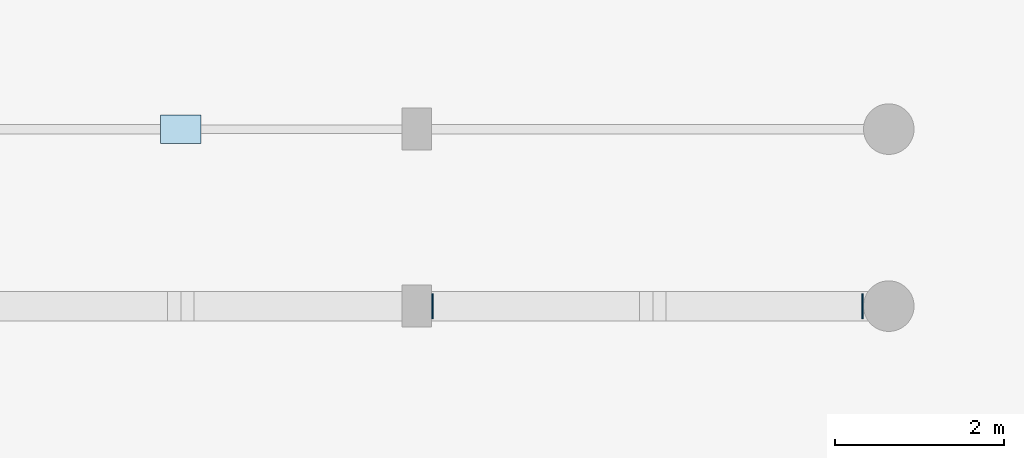
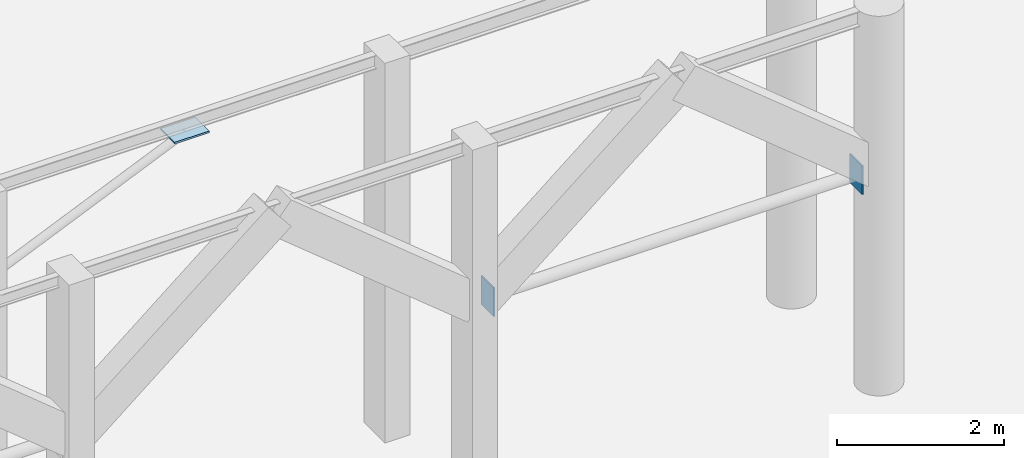
# One storey, part 87 of 135: 3 plates.
"""IFC4 building model written with IfcOpenShell, lengths in metres."""

from ifc_helpers import new_model, si_unit, direction, frame, origin, origin_2d, place, context, subcontext, project, spatial, rectangle, extrude, material, layer, layer_set, type_object, element, save


model = new_model("IFC4")

# Units and contexts
model_context = context("Model", 3, precision=1e-05, world=origin(), true_north=direction((0.0, 1.0)))
body_context = subcontext(model_context, "Body", "Model", "MODEL_VIEW")
ifc_project = project(units=[si_unit("LENGTHUNIT", "METRE"), si_unit("AREAUNIT", "SQUARE_METRE"), si_unit("VOLUMEUNIT", "CUBIC_METRE"), si_unit("PLANEANGLEUNIT", "RADIAN"), si_unit("MASSUNIT", "GRAM", prefix="KILO")], contexts=[model_context])

# Site, building, storey
site_placement = place(None, origin())
site = spatial("IfcSite", under=ifc_project, at=site_placement, CompositionType="ELEMENT")
building_placement = place(site_placement, origin())
building = spatial("IfcBuilding", under=site, at=building_placement, Name="Kiranvali Square Residences", CompositionType="ELEMENT")
storey_placement = place(building_placement, origin())
storey = spatial("IfcBuildingStorey", under=building, at=storey_placement, Name="L00", CompositionType="ELEMENT", Elevation=0.0)

# Plates
ifc_material = material(Name="Structural steel E350", Category="steel")
ifc_layer_1 = layer(ifc_material, 0.02001953125)
ifc_layer_set_1 = layer_set([ifc_layer_1], Name="Structural steel E350")
plate_type_1 = type_object("IfcPlateType", Name="PLT-ENDCAP-20", PredefinedType="SHEET", material=ifc_layer_set_1)
for number, where, z_axis, x_axis, name in (
    (1, (132.986083984375, 12.949951171875, 2.93994140625), (0.0, 0.0, 1.0), (1.0, 0.0, 0.0), "Colonnade tie-rod end plate ARC-SQ-S-9A"),
    (2, (138.089111328125, 12.949951171875, 2.93994140625), (0.0, 0.0, 1.0), (1.0, 0.0, 0.0), "Colonnade tie-rod end plate ARC-SQ-S-9B"),
):
    element("IfcPlate", number, at=place(storey_placement, frame(where, z_axis=z_axis, x_axis=x_axis)), inside=storey, type_object=plate_type_1, Name=name, PredefinedType="SHEET", context=body_context, shape_type="SweptSolid", body=[
        extrude(rectangle(XDim=0.02001953125, YDim=0.300048828125, at=origin_2d()), origin(), (0.0, 0.0, 1.0), 0.419921875),
    ])
ifc_layer_2 = layer(ifc_material, 0.02490234375)
ifc_layer_set_2 = layer_set([ifc_layer_2], Name="Structural steel E350")
plate_type_2 = type_object("IfcPlateType", Name="PLT-GUSSET-25", PredefinedType="USERDEFINED", material=ifc_layer_set_2)
plate_placement = place(storey_placement, frame((130.0, 15.050048828125, 5.33349609375), z_axis=(0.0, 0.0, 1.0), x_axis=(1.0, 0.0, 0.0)))
element("IfcPlate", 3, at=plate_placement, inside=storey, type_object=plate_type_2, Name="Colonnade knee-brace upper gusset ARC-SQ-S-8B", ObjectType="GUSSET PLATE", PredefinedType="USERDEFINED", context=body_context, shape_type="SweptSolid", body=[
    extrude(rectangle(XDim=0.47998046875, YDim=0.340087890625, at=origin_2d()), origin(), (0.0, 0.0, 1.0), 0.02490234375),
])

save(model, "model.ifc")
